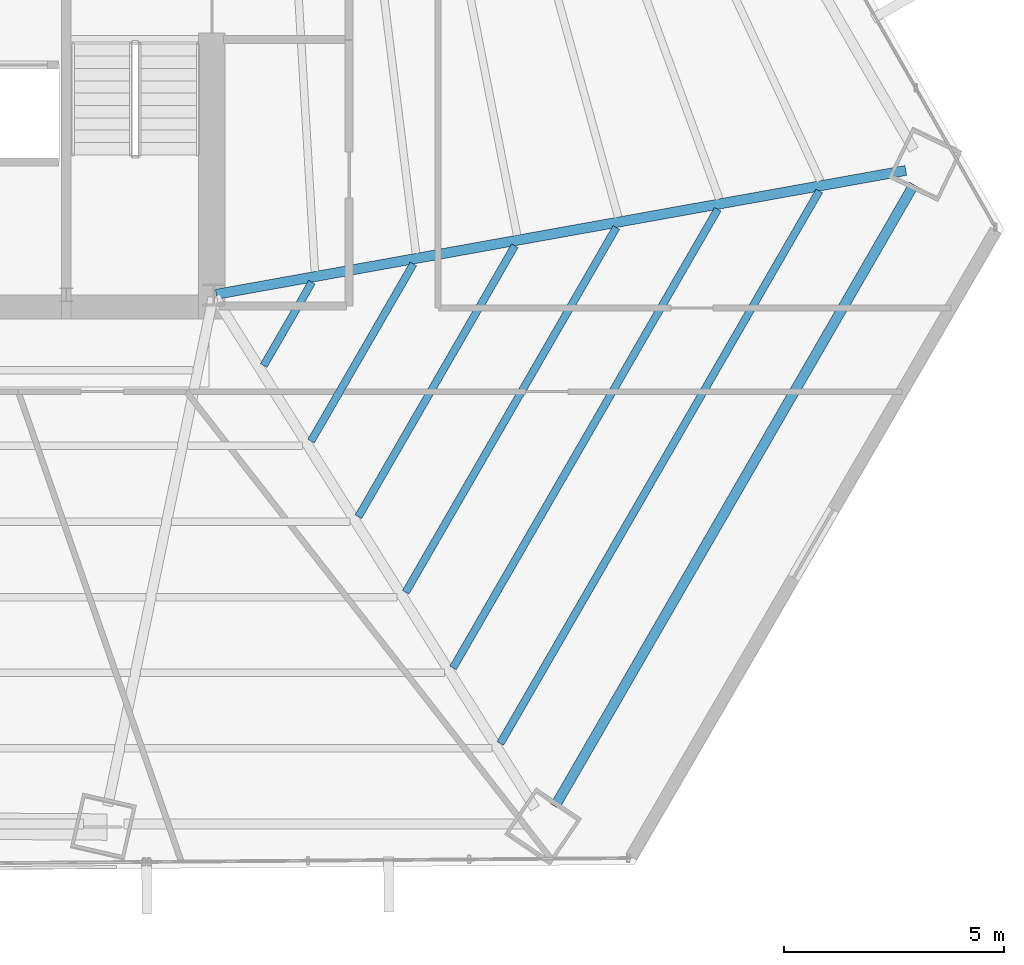
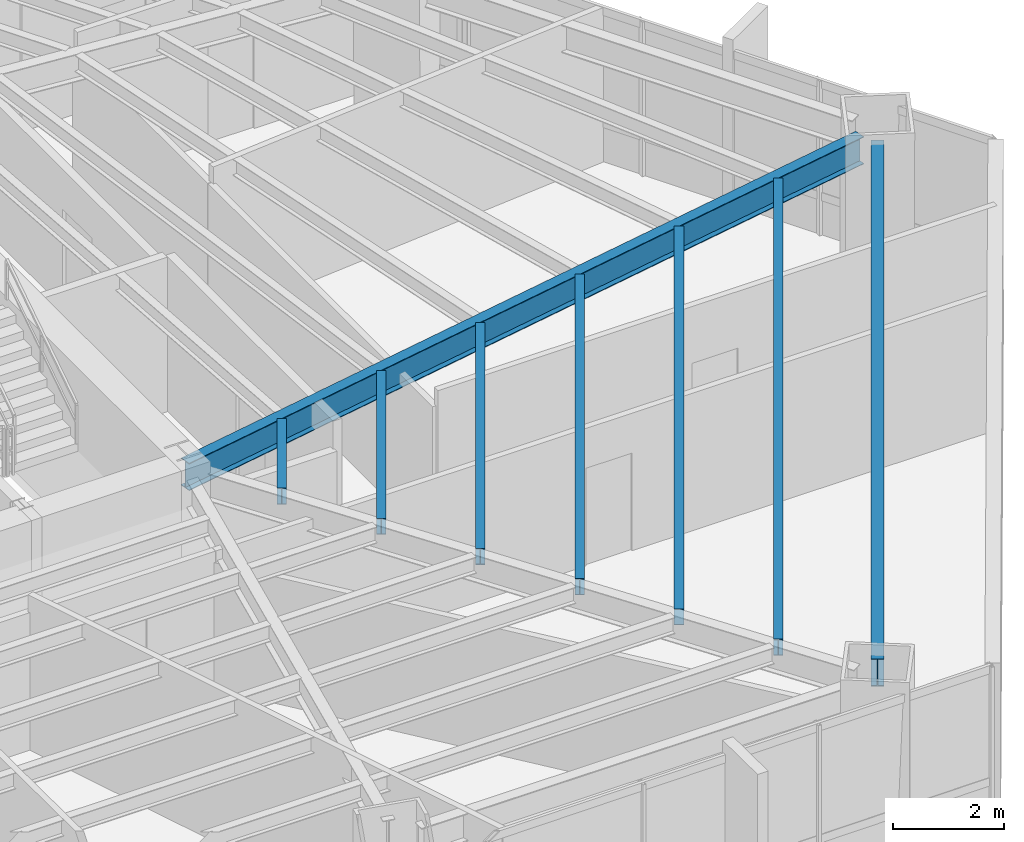
# One storey, part 18 of 35: 8 beams.
"""IFC4 building model written with IfcOpenShell, lengths in metres."""

from ifc_helpers import new_model, si_unit, direction, frame, origin, origin_2d, place, context, subcontext, project, spatial, i_section, extrude, source, transform, mapped, material, material_profile, profile_set, type_object, type_shapes, element, save


model = new_model("IFC4")

# Units and contexts
model_context = context("Model", 3, precision=1e-05, world=origin(), true_north=direction((0.0, 1.0)))
body_context = subcontext(model_context, "Body", "Model", "MODEL_VIEW")
ifc_project = project(units=[si_unit("LENGTHUNIT", "METRE"), si_unit("AREAUNIT", "SQUARE_METRE"), si_unit("VOLUMEUNIT", "CUBIC_METRE"), si_unit("PLANEANGLEUNIT", "RADIAN"), si_unit("MASSUNIT", "GRAM", prefix="KILO")], contexts=[model_context])

# Site, building, storey
site_placement = place(None, origin())
site = spatial("IfcSite", under=ifc_project, at=site_placement, CompositionType="ELEMENT")
building_placement = place(site_placement, origin())
building = spatial("IfcBuilding", under=site, at=building_placement, Name="Caelisora Broadcast Tower", CompositionType="ELEMENT")
storey_placement = place(building_placement, frame((0.0, 0.0, 53.14990234375)))
storey = spatial("IfcBuildingStorey", under=building, at=storey_placement, Name="L13", CompositionType="ELEMENT", Elevation=53.14990234375)

# Beams
ifc_material = material(Name="Steel Grade 350 (AS/NZS 3679.1)", Category="steel")
ifc_material_profile_1 = material_profile(ifc_material, i_section(OverallWidth=0.22900390625, OverallDepth=0.611572265625, WebThickness=0.011962890625, FlangeThickness=0.01953125, at=origin_2d()), Name="Steel Grade 350 (AS/NZS 3679.1)")
ifc_profile_set_1 = profile_set([ifc_material_profile_1], Name="Steel Grade 350 (AS/NZS 3679.1)")
beam_type_1 = type_object("IfcBeamType", Name="PG03", PredefinedType="BEAM", material=ifc_profile_set_1)
shared_shape_1 = source(origin(), body_context, "Body", "SweptSolid", [
    extrude(i_section(OverallWidth=0.22900390625, OverallDepth=0.611572265625, WebThickness=0.011962890625, FlangeThickness=0.01953125, at=origin_2d()), origin(), (0.0, 0.0, 1.0), 16.307861328125),
])
type_shapes(beam_type_1, [shared_shape_1])
beam_1_placement = place(storey_placement, frame((53.255615234375, 5.77685546875, 3.09423828125), z_axis=(0.500004958587, 0.866022540924, 0.0), x_axis=(-0.866022540924, 0.500004958587, 0.0)))
element("IfcBeam", 1, at=beam_1_placement, inside=storey, type_object=beam_type_1, Name="L13 beam PG03", PredefinedType="BEAM", context=body_context, shape_type="MappedRepresentation", body=[
    mapped(shared_shape_1, transform((0.0, 0.0, 0.0), scale=1.0)),
])
ifc_material_profile_2 = material_profile(ifc_material, i_section(OverallWidth=0.22802734375, OverallDepth=0.602294921875, WebThickness=0.010498046875, FlangeThickness=0.014892578125, at=origin_2d()), Name="Steel Grade 350 (AS/NZS 3679.1)")
ifc_profile_set_2 = profile_set([ifc_material_profile_2], Name="Steel Grade 350 (AS/NZS 3679.1)")
beam_type_2 = type_object("IfcBeamType", Name="PG04", PredefinedType="BEAM", material=ifc_profile_set_2)
shared_shape_2 = source(origin(), body_context, "Body", "SweptSolid", [
    extrude(i_section(OverallWidth=0.22802734375, OverallDepth=0.602294921875, WebThickness=0.010498046875, FlangeThickness=0.014892578125, at=origin_2d()), origin(), (0.0, 0.0, 1.0), 15.91796875),
])
type_shapes(beam_type_2, [shared_shape_2])
beam_2_placement = place(storey_placement, frame((45.55908203125, 17.41064453125, 3.098876953125), z_axis=(0.984255816877, 0.17674978626, 0.0), x_axis=(-0.17674978626, 0.984255816877, 0.0)))
element("IfcBeam", 2, at=beam_2_placement, inside=storey, type_object=beam_type_2, Name="L13 beam PG04", PredefinedType="BEAM", context=body_context, shape_type="MappedRepresentation", body=[
    mapped(shared_shape_2, transform((0.0, 0.0, 0.0), scale=1.0)),
])
ifc_material_profile_3 = material_profile(ifc_material, i_section(OverallWidth=0.172119140625, OverallDepth=0.358642578125, WebThickness=0.008056640625, FlangeThickness=0.012939453125, at=origin_2d()), Name="Steel Grade 350 (AS/NZS 3679.1)")
ifc_profile_set_3 = profile_set([ifc_material_profile_3], Name="Steel Grade 350 (AS/NZS 3679.1)")
beam_type_3 = type_object("IfcBeamType", Name="SB02", PredefinedType="JOIST", material=ifc_profile_set_3)
shared_shape_3 = source(origin(), body_context, "Body", "SweptSolid", [
    extrude(i_section(OverallWidth=0.172119140625, OverallDepth=0.358642578125, WebThickness=0.008056640625, FlangeThickness=0.012939453125, at=origin_2d()), origin(), (0.0, 0.0, 1.0), 2.18896484375),
])
beam_3_placement = place(storey_placement, frame((46.63818359375, 15.791748046875, 3.220703125), z_axis=(0.499989557376, 0.866031432752, 0.0), x_axis=(-0.866031432752, 0.499989557376, 0.0)))
element("IfcBeam", 3, at=beam_3_placement, inside=storey, type_object=beam_type_3, Name="L13 beam SB02", PredefinedType="JOIST", context=body_context, shape_type="MappedRepresentation", body=[
    mapped(shared_shape_3, transform((0.0, 0.0, 0.0), scale=1.0)),
])
shared_shape_4 = source(origin(), body_context, "Body", "SweptSolid", [
    extrude(i_section(OverallWidth=0.172119140625, OverallDepth=0.358642578125, WebThickness=0.008056640625, FlangeThickness=0.012939453125, at=origin_2d()), origin(), (0.0, 0.0, 1.0), 4.64990234375),
])
beam_4_placement = place(storey_placement, frame((47.713134765625, 14.074462890625, 3.220703125), z_axis=(0.500007271693, 0.86602120543, 0.0), x_axis=(-0.86602120543, 0.500007271693, 0.0)))
element("IfcBeam", 4, at=beam_4_placement, inside=storey, type_object=beam_type_3, Name="L13 beam SB02", PredefinedType="JOIST", context=body_context, shape_type="MappedRepresentation", body=[
    mapped(shared_shape_4, transform((0.0, 0.0, 0.0), scale=1.0)),
])
shared_shape_5 = source(origin(), body_context, "Body", "SweptSolid", [
    extrude(i_section(OverallWidth=0.172119140625, OverallDepth=0.358642578125, WebThickness=0.008056640625, FlangeThickness=0.012939453125, at=origin_2d()), origin(), (0.0, 0.0, 1.0), 7.111083984375),
])
beam_5_placement = place(storey_placement, frame((48.788330078125, 12.357177734375, 3.220703125), z_axis=(0.500023607337, 0.866011773653, 0.0), x_axis=(-0.866011773653, 0.500023607337, 0.0)))
element("IfcBeam", 5, at=beam_5_placement, inside=storey, type_object=beam_type_3, Name="L13 beam SB02", PredefinedType="JOIST", context=body_context, shape_type="MappedRepresentation", body=[
    mapped(shared_shape_5, transform((0.0, 0.0, 0.0), scale=1.0)),
])
shared_shape_6 = source(origin(), body_context, "Body", "SweptSolid", [
    extrude(i_section(OverallWidth=0.172119140625, OverallDepth=0.358642578125, WebThickness=0.008056640625, FlangeThickness=0.012939453125, at=origin_2d()), origin(), (0.0, 0.0, 1.0), 9.572265625),
])
beam_6_placement = place(storey_placement, frame((49.86328125, 10.6396484375, 3.220703125), z_axis=(0.500001369806, 0.866024612925, 0.0), x_axis=(-0.866024612925, 0.500001369806, 0.0)))
element("IfcBeam", 6, at=beam_6_placement, inside=storey, type_object=beam_type_3, Name="L13 beam SB02", PredefinedType="JOIST", context=body_context, shape_type="MappedRepresentation", body=[
    mapped(shared_shape_6, transform((0.0, 0.0, 0.0), scale=1.0)),
])
shared_shape_7 = source(origin(), body_context, "Body", "SweptSolid", [
    extrude(i_section(OverallWidth=0.172119140625, OverallDepth=0.358642578125, WebThickness=0.008056640625, FlangeThickness=0.012939453125, at=origin_2d()), origin(), (0.0, 0.0, 1.0), 12.033203125),
])
beam_7_placement = place(storey_placement, frame((50.9384765625, 8.92236328125, 3.220703125), z_axis=(0.499997013887, 0.866027127811, 0.0), x_axis=(-0.866027127811, 0.499997013887, 0.0)))
element("IfcBeam", 7, at=beam_7_placement, inside=storey, type_object=beam_type_3, Name="L13 beam SB02", PredefinedType="JOIST", context=body_context, shape_type="MappedRepresentation", body=[
    mapped(shared_shape_7, transform((0.0, 0.0, 0.0), scale=1.0)),
])
shared_shape_8 = source(origin(), body_context, "Body", "SweptSolid", [
    extrude(i_section(OverallWidth=0.172119140625, OverallDepth=0.358642578125, WebThickness=0.008056640625, FlangeThickness=0.012939453125, at=origin_2d()), origin(), (0.0, 0.0, 1.0), 14.494384765625),
])
type_shapes(beam_type_3, [shared_shape_3, shared_shape_4, shared_shape_5, shared_shape_6, shared_shape_7, shared_shape_8])
beam_8_placement = place(storey_placement, frame((52.013671875, 7.205078125, 3.220703125), z_axis=(0.499994137172, 0.866028788663, 0.0), x_axis=(-0.866028788663, 0.499994137172, 0.0)))
element("IfcBeam", 8, at=beam_8_placement, inside=storey, type_object=beam_type_3, Name="L13 beam SB02", PredefinedType="JOIST", context=body_context, shape_type="MappedRepresentation", body=[
    mapped(shared_shape_8, transform((0.0, 0.0, 0.0), scale=1.0)),
])

save(model, "model.ifc")
